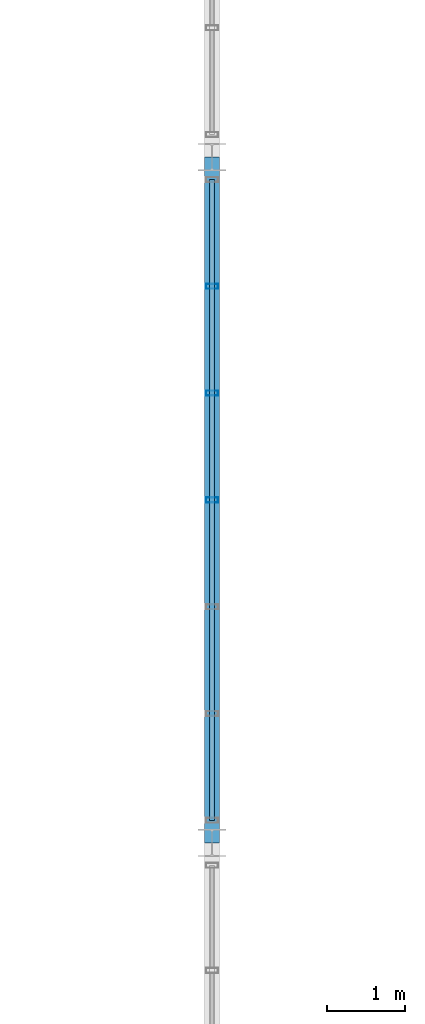
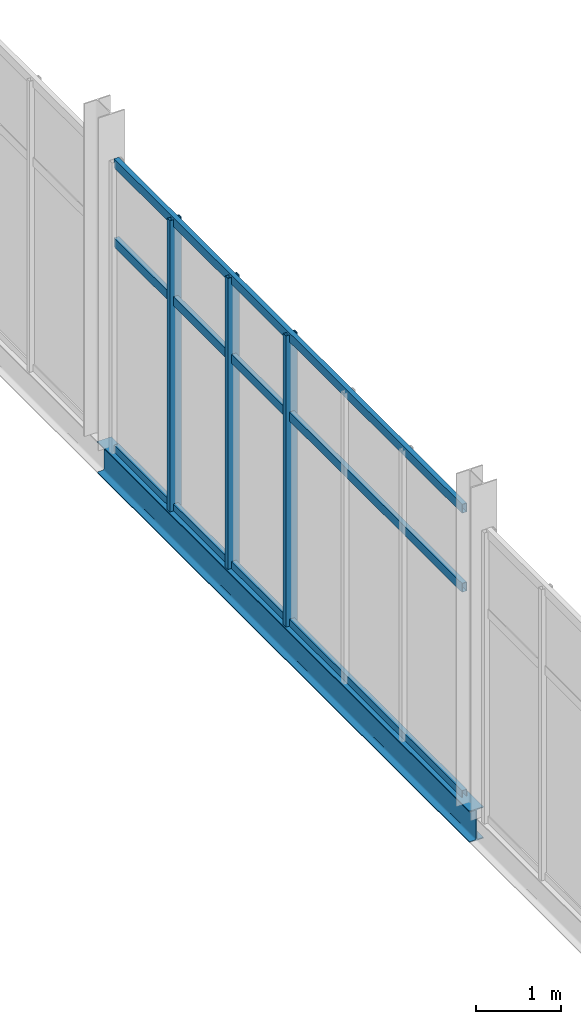
# One storey, part 32 of 157: 6 members, 1 beam, 1 element without a shape of its own.
"""IFC4 building model written with IfcOpenShell, lengths in metres."""

from ifc_helpers import new_model, si_unit, direction, frame, origin, origin_2d, place, context, subcontext, project, spatial, hollow_rectangle, i_section, extrude, material, layer, layer_set, material_profile, profile_set, type_object, element, aggregate, save


model = new_model("IFC4")

# Units and contexts
model_context = context("Model", 3, precision=1e-05, world=origin(), true_north=direction((0.0, 1.0)))
body_context = subcontext(model_context, "Body", "Model", "MODEL_VIEW")
ifc_project = project(units=[si_unit("LENGTHUNIT", "METRE"), si_unit("AREAUNIT", "SQUARE_METRE"), si_unit("VOLUMEUNIT", "CUBIC_METRE"), si_unit("PLANEANGLEUNIT", "RADIAN"), si_unit("MASSUNIT", "GRAM", prefix="KILO")], contexts=[model_context])

# Site, building, storey
site_placement = place(None, origin())
site = spatial("IfcSite", under=ifc_project, at=site_placement, CompositionType="ELEMENT")
building_placement = place(site_placement, origin())
building = spatial("IfcBuilding", under=site, at=building_placement, Name="Chalmorin Arch Market", CompositionType="ELEMENT")
storey_placement = place(building_placement, frame((0.0, 0.0, 4.800048828125)))
storey = spatial("IfcBuildingStorey", under=building, at=storey_placement, Name="L01", CompositionType="ELEMENT", Elevation=4.800048828125)

# Curtain wall, members
ifc_material_1 = material(Name="Aluminium 6063-T6", Category="aluminium")
ifc_layer = layer(ifc_material_1, 0.159912109375)
ifc_layer_set = layer_set([ifc_layer], Name="Aluminium 6063-T6")
curtain_wall_type = type_object("IfcCurtainWallType", Name="GableTympanumCurtainWall-CW4-8220x4200", PredefinedType="NOTDEFINED", material=ifc_layer_set)
curtain_wall_placement = place(storey_placement, origin())
curtain_wall = element("IfcCurtainWall", 1, at=curtain_wall_placement, inside=storey, type_object=curtain_wall_type, Name="CW-04-030", PredefinedType="NOTDEFINED")
ifc_material_profile_1 = material_profile(ifc_material_1, hollow_rectangle(XDim=0.06494140625, YDim=0.159912109375, WallThickness=0.00390625, at=origin_2d()), Name="ALU65X160X4")
ifc_profile_set_1 = profile_set([ifc_material_profile_1], Name="Aluminium 6063-T6")
member_type_1 = type_object("IfcMemberType", Name="CurtainWallMullion-65x160", PredefinedType="MULLION", material=ifc_profile_set_1)
member_1_placement = place(storey_placement, frame((48.0, 28.0, 0.0), z_axis=(0.0, 0.0, 1.0), x_axis=(0.0, 1.0, 0.0)))
member_1 = element("IfcMember", 2, at=member_1_placement, type_object=member_type_1, Name="ML-030-04", PredefinedType="MULLION", context=body_context, shape_type="SweptSolid", body=[
    extrude(hollow_rectangle(XDim=0.06494140625, YDim=0.159912109375, WallThickness=0.00390625, at=origin_2d()), origin(), (0.0, 0.0, 1.0), 4.199951171875),
])
member_2_placement = place(storey_placement, frame((48.0, 29.37060546875, 0.0), z_axis=(0.0, 0.0, 1.0), x_axis=(0.0, 1.0, 0.0)))
member_2 = element("IfcMember", 3, at=member_2_placement, type_object=member_type_1, Name="ML-030-05", PredefinedType="MULLION", context=body_context, shape_type="SweptSolid", body=[
    extrude(hollow_rectangle(XDim=0.06494140625, YDim=0.159912109375, WallThickness=0.00390625, at=origin_2d()), origin(), (0.0, 0.0, 1.0), 4.199951171875),
])
member_3_placement = place(storey_placement, frame((48.0, 30.7412109375, 0.0), z_axis=(0.0, 0.0, 1.0), x_axis=(0.0, 1.0, 0.0)))
member_3 = element("IfcMember", 4, at=member_3_placement, type_object=member_type_1, Name="ML-030-06", PredefinedType="MULLION", context=body_context, shape_type="SweptSolid", body=[
    extrude(hollow_rectangle(XDim=0.06494140625, YDim=0.159912109375, WallThickness=0.00390625, at=origin_2d()), origin(), (0.0, 0.0, 1.0), 4.199951171875),
])
ifc_material_profile_2 = material_profile(ifc_material_1, hollow_rectangle(XDim=0.06494140625, YDim=0.1298828125, WallThickness=0.00390625, at=origin_2d()), Name="ALU65X130X4")
ifc_profile_set_2 = profile_set([ifc_material_profile_2], Name="Aluminium 6063-T6")
member_type_2 = type_object("IfcMemberType", Name="CurtainWallTransom-65x130", PredefinedType="USERDEFINED", material=ifc_profile_set_2)
member_4_placement = place(storey_placement, frame((48.0, 23.887939453125, 0.034912109375), z_axis=(0.0, 1.0, 0.0), x_axis=(-1.0, 0.0, 0.0)))
member_4 = element("IfcMember", 5, at=member_4_placement, type_object=member_type_2, Name="TR-030-01", ObjectType="TRANSOM", PredefinedType="USERDEFINED", context=body_context, shape_type="SweptSolid", body=[
    extrude(hollow_rectangle(XDim=0.06494140625, YDim=0.1298828125, WallThickness=0.00390625, at=origin_2d()), origin(), (0.0, 0.0, 1.0), 8.22412109375),
])
member_5_placement = place(storey_placement, frame((48.0, 23.887939453125, 3.02392578125), z_axis=(0.0, 1.0, 0.0), x_axis=(-1.0, 0.0, 0.0)))
member_5 = element("IfcMember", 6, at=member_5_placement, type_object=member_type_2, Name="TR-030-02", ObjectType="TRANSOM", PredefinedType="USERDEFINED", context=body_context, shape_type="SweptSolid", body=[
    extrude(hollow_rectangle(XDim=0.06494140625, YDim=0.1298828125, WallThickness=0.00390625, at=origin_2d()), origin(), (0.0, 0.0, 1.0), 8.22412109375),
])
member_6_placement = place(storey_placement, frame((48.0, 23.887939453125, 4.1650390625), z_axis=(0.0, 1.0, 0.0), x_axis=(-1.0, 0.0, 0.0)))
member_6 = element("IfcMember", 7, at=member_6_placement, type_object=member_type_2, Name="TR-030-03", ObjectType="TRANSOM", PredefinedType="USERDEFINED", context=body_context, shape_type="SweptSolid", body=[
    extrude(hollow_rectangle(XDim=0.06494140625, YDim=0.1298828125, WallThickness=0.00390625, at=origin_2d()), origin(), (0.0, 0.0, 1.0), 8.22412109375),
])
aggregate(curtain_wall, [member_1, member_2, member_3, member_4, member_5, member_6])

# Beam
ifc_material_2 = material(Name="Steel A992 Grade 50", Category="steel")
ifc_material_profile_3 = material_profile(ifc_material_2, i_section(OverallWidth=0.19091796875, OverallDepth=0.45703125, WebThickness=0.009033203125, FlangeThickness=0.014404296875, FilletRadius=0.02001953125, at=origin_2d()), Name="W18X50")
ifc_profile_set_3 = profile_set([ifc_material_profile_3], Name="Steel A992 Grade 50")
beam_type = type_object("IfcBeamType", Name="PerimeterSpandrelBeam-W18X50", PredefinedType="SPANDREL", material=ifc_profile_set_3)
beam_placement = place(storey_placement, frame((48.0, 23.60009765625, -0.22802734375), z_axis=(0.0, 1.0, 0.0), x_axis=(-1.0, 0.0, 0.0)))
element("IfcBeam", 8, at=beam_placement, inside=storey, type_object=beam_type, Name="SP-W18-0677", PredefinedType="SPANDREL", context=body_context, shape_type="SweptSolid", body=[
    extrude(i_section(OverallWidth=0.19091796875, OverallDepth=0.45703125, WebThickness=0.009033203125, FlangeThickness=0.014404296875, FilletRadius=0.02001953125, at=origin_2d()), origin(), (0.0, 0.0, 1.0), 8.7998046875),
])

save(model, "model.ifc")
